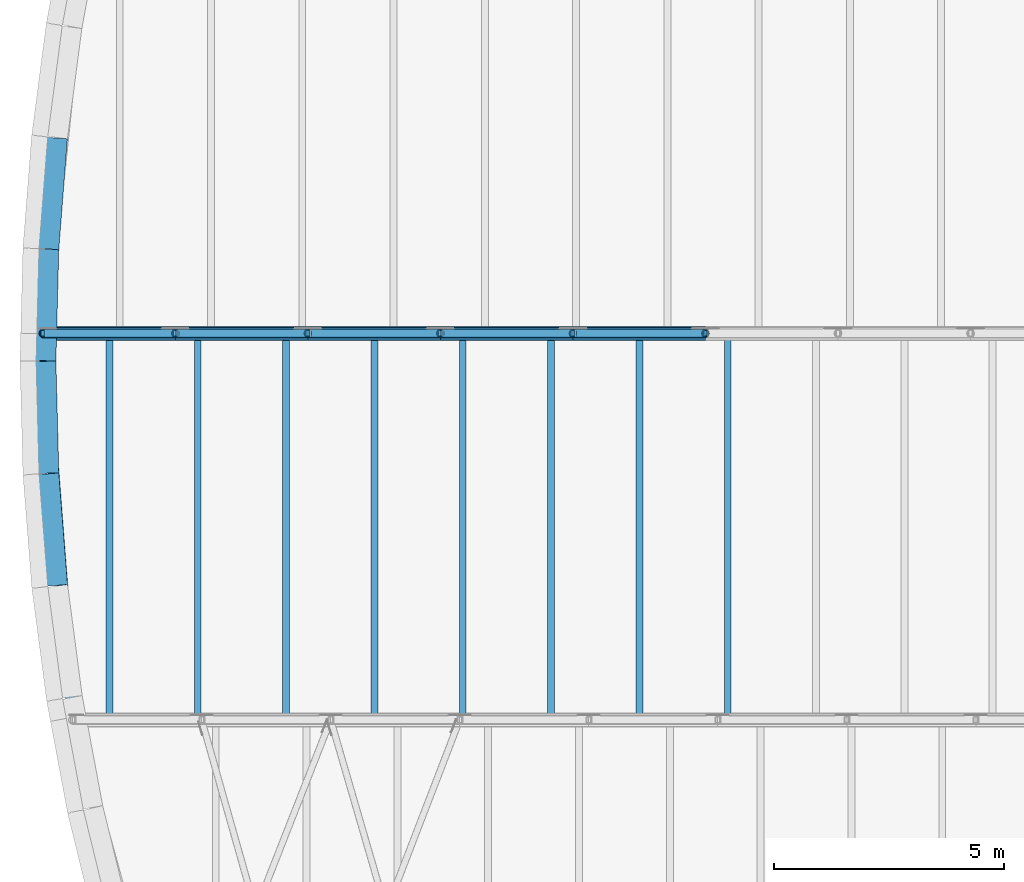
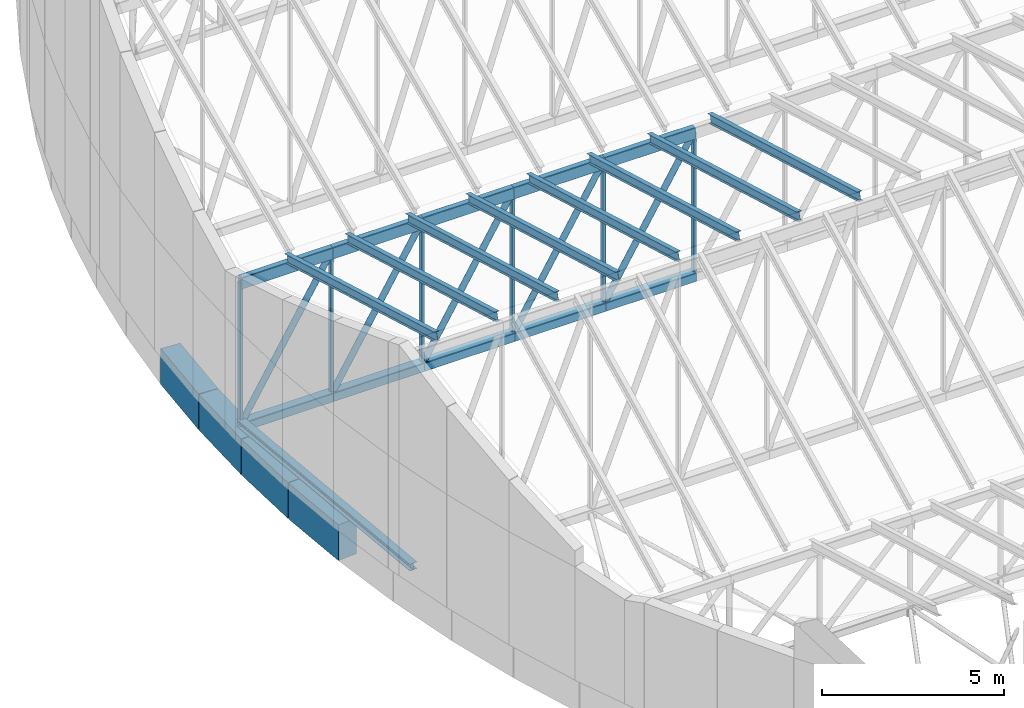
# One storey, part 19 of 68: 19 members, 15 beams.
"""IFC4 building model written with IfcOpenShell, lengths in metres."""

import ifcopenshell
import ifcopenshell.guid

model = None  # the IFC model being written
_history = None  # IfcOwnerHistory: only IFC2X3 demands one
_inside = {}  # id of a spatial element -> (the spatial element, [elements in it])
_under = {}  # id of a project, library or spatial element -> (it, [spatial elements below it])
_declared = {}  # id of a project -> (the project, [libraries it declares])
_typed = {}  # id of a type object -> (the type object, [elements of that type])
_made_of = {}  # id of a material, layer set ... -> (it, [elements and type objects made of it])


def new_model(schema):
    """Start an empty IFC model of exactly this schema.

    Asked for "IFC4X3", IfcOpenShell would pick the latest addendum, in which some entities
    have other attributes; the version numbers below select the first issue.
    IFC2X3 requires an IfcOwnerHistory on every rooted entity: one is made here for all.
    """
    global model, _history
    if schema == "IFC4X3":
        model = ifcopenshell.file(schema_version=(4, 3, 0, 0))
    else:
        model = ifcopenshell.file(schema=schema)
    _inside.clear()
    _under.clear()
    _declared.clear()
    _typed.clear()
    _made_of.clear()
    _history = None
    if model.schema == "IFC2X3":
        org = make("IfcOrganization", Name="unknown")
        user = make(
            "IfcPersonAndOrganization",
            ThePerson=make("IfcPerson", FamilyName="unknown"),
            TheOrganization=org,
        )
        app = make(
            "IfcApplication",
            ApplicationDeveloper=org,
            Version="unknown",
            ApplicationFullName="unknown",
            ApplicationIdentifier="unknown",
        )
        _history = make(
            "IfcOwnerHistory",
            OwningUser=user,
            OwningApplication=app,
            ChangeAction="ADDED",
            CreationDate=0,
        )
    return model


def make(cls, **values):
    """One entity of the class cls with the attributes given. An attribute that is None is left unset."""
    return model.create_entity(
        cls, **{name: value for name, value in values.items() if value is not None}
    )


def rooted(cls, **values):
    """An entity with a GlobalId (a new one), such as an element, a storey or a relation."""
    return make(cls, GlobalId=ifcopenshell.guid.new(), OwnerHistory=_history, **values)


def si_unit(unit_type, name, prefix=None):
    """IfcSIUnit, for example si_unit("LENGTHUNIT", "METRE", prefix="MILLI")."""
    return make("IfcSIUnit", UnitType=unit_type, Prefix=prefix, Name=name)


def assignment(units):
    """IfcUnitAssignment: the units of a project."""
    return None if units is None else make("IfcUnitAssignment", Units=units)


def point(xyz):
    """IfcCartesianPoint."""
    return None if xyz is None else make("IfcCartesianPoint", Coordinates=xyz)


def direction(xyz):
    """IfcDirection."""
    return None if xyz is None else make("IfcDirection", DirectionRatios=xyz)


def frame(location, z_axis=None, x_axis=None):
    """IfcAxis2Placement3D, a coordinate frame: its origin and axes. An axis left out is left unset."""
    return make(
        "IfcAxis2Placement3D",
        Location=point(location),
        Axis=direction(z_axis),
        RefDirection=direction(x_axis),
    )


def frame_2d(location, x_axis=None):
    """IfcAxis2Placement2D, a coordinate frame in the plane: its origin and x axis."""
    return make(
        "IfcAxis2Placement2D", Location=point(location), RefDirection=direction(x_axis)
    )


def origin():
    """The frame at (0, 0, 0) with its axes left unset."""
    return frame((0.0, 0.0, 0.0))


def origin_2d():
    """The frame at (0, 0) in the plane with its x axis left unset."""
    return frame_2d((0.0, 0.0))


def place(relative_to, where):
    """IfcLocalPlacement: puts the frame where relative to a parent placement (None: the world)."""
    return make(
        "IfcLocalPlacement", PlacementRelTo=relative_to, RelativePlacement=where
    )


def context(
    kind, dimensions, precision=None, world=None, true_north=None, identifier=None
):
    """IfcGeometricRepresentationContext, for example the 3D "Model" context."""
    return make(
        "IfcGeometricRepresentationContext",
        ContextIdentifier=identifier,
        ContextType=kind,
        CoordinateSpaceDimension=dimensions,
        Precision=precision,
        WorldCoordinateSystem=world,
        TrueNorth=true_north,
    )


def subcontext(parent, identifier, kind, view, scale=None):
    """IfcGeometricRepresentationSubContext, for example "Body" below "Model"."""
    return make(
        "IfcGeometricRepresentationSubContext",
        ContextIdentifier=identifier,
        ContextType=kind,
        ParentContext=parent,
        TargetScale=scale,
        TargetView=view,
    )


def project(units=None, contexts=None):
    """IfcProject with its units and contexts."""
    return rooted(
        "IfcProject",
        Name="project",
        RepresentationContexts=contexts,
        UnitsInContext=assignment(units),
    )


def spatial(cls, under=None, at=None, **own):
    """A site, building, storey or space (cls), placed at a placement, below another one or the project."""
    s = rooted(cls, ObjectPlacement=at, **own)
    if under is not None:
        _under.setdefault(under.id(), (under, []))[1].append(s)
    return s


def profile(cls, at=None, kind="AREA", **sizes):
    """A parametric profile (cls). Its sizes go by their IFC names, for example OverallWidth=200.0."""
    return make(cls, ProfileType=kind, Position=at, **sizes)


def rectangle(**sizes):
    """IfcRectangleProfileDef."""
    return profile("IfcRectangleProfileDef", **sizes)


def hollow_rectangle(**sizes):
    """IfcRectangleHollowProfileDef."""
    return profile("IfcRectangleHollowProfileDef", **sizes)


def hollow_circle(**sizes):
    """IfcCircleHollowProfileDef."""
    return profile("IfcCircleHollowProfileDef", **sizes)


def i_section(**sizes):
    """IfcIShapeProfileDef."""
    return profile("IfcIShapeProfileDef", **sizes)


def extrude(swept, where, along, depth):
    """IfcExtrudedAreaSolid: the profile swept, set in the frame where, extruded along a direction by depth."""
    return make(
        "IfcExtrudedAreaSolid",
        SweptArea=swept,
        Position=where,
        ExtrudedDirection=direction(along),
        Depth=depth,
    )


def shape(context_of_items, identifier, shape_type, items):
    """IfcShapeRepresentation: the items that make up one representation, for example the "Body"."""
    return make(
        "IfcShapeRepresentation",
        ContextOfItems=context_of_items,
        RepresentationIdentifier=identifier,
        RepresentationType=shape_type,
        Items=items,
    )


def material(Name=None, Category=None):
    """IfcMaterial."""
    return make("IfcMaterial", Name=Name, Category=Category)


def material_profile(
    of_material, cross_section, Name=None, Category=None, Priority=None
):
    """IfcMaterialProfile: a cross section and its material."""
    return make(
        "IfcMaterialProfile",
        Name=Name,
        Material=of_material,
        Profile=cross_section,
        Priority=Priority,
        Category=Category,
    )


def profile_set(profiles, Name=None, composite=None):
    """IfcMaterialProfileSet."""
    return make(
        "IfcMaterialProfileSet",
        Name=Name,
        MaterialProfiles=profiles,
        CompositeProfile=composite,
    )


def made_of(thing, what):
    """Note that an element or type object is made of a material, layer set ...; save() writes the relation."""
    if what is not None:
        _made_of.setdefault(what.id(), (what, []))[1].append(thing)
    return thing


def type_object(cls, material=None, **own):
    """A type object (cls), such as IfcWallType, which elements share."""
    return made_of(rooted(cls, **own), material)


def element(
    cls,
    number,
    at=None,
    inside=None,
    cuts=None,
    type_object=None,
    material=None,
    context=None,
    identifier="Body",
    shape_type=None,
    held_by="IfcProductDefinitionShape",
    body=None,
    shapes=None,
    **own,
):
    """One element of the class cls, such as IfcWall. Its Tag is "e" and its number.

    at: its placement. inside: the storey or other place that contains it. cuts: it is an
    opening in that element (IfcRelVoidsElement). A single representation is given by context,
    identifier, shape_type and body (its items); several are given by shapes. held_by: the class
    of the entity that holds the representations. save() writes the other relations.
    """
    e = rooted(cls, Tag="e%d" % number, ObjectPlacement=at, **own)
    if body is not None:
        shapes = [shape(context, identifier, shape_type, body)]
    if shapes is not None:
        e.Representation = make(held_by, Representations=shapes)
    if inside is not None:
        _inside.setdefault(inside.id(), (inside, []))[1].append(e)
    if cuts is not None:
        rooted(
            "IfcRelVoidsElement", RelatingBuildingElement=cuts, RelatedOpeningElement=e
        )
    if type_object is not None:
        _typed.setdefault(type_object.id(), (type_object, []))[1].append(e)
    return made_of(e, material)


def aggregate(whole, parts):
    """IfcRelAggregates: a whole, such as a stair, and the parts it consists of."""
    return rooted("IfcRelAggregates", RelatingObject=whole, RelatedObjects=parts)


def save(model, path):
    """Write the relations noted so far, then the file.

    IfcRelAggregates (storeys below a building ...), IfcRelContainedInSpatialStructure (elements
    in a storey), IfcRelDefinesByType, IfcRelAssociatesMaterial and IfcRelDeclares: one each for
    every whole, place, type object, material and project.
    """
    for whole, parts in _under.values():
        aggregate(whole, parts)
    for where, things in _inside.values():
        rooted(
            "IfcRelContainedInSpatialStructure",
            RelatedElements=things,
            RelatingStructure=where,
        )
    for kind, things in _typed.values():
        rooted("IfcRelDefinesByType", RelatedObjects=things, RelatingType=kind)
    for what, things in _made_of.values():
        rooted("IfcRelAssociatesMaterial", RelatedObjects=things, RelatingMaterial=what)
    for by, libraries in _declared.values():
        rooted("IfcRelDeclares", RelatingContext=by, RelatedDefinitions=libraries)
    model.write(path)


model = new_model("IFC4")

# Units and contexts
model_context = context("Model", 3, precision=1e-05, world=origin(), true_north=direction((0.0, 1.0)))
body_context = subcontext(model_context, "Body", "Model", "MODEL_VIEW")
ifc_project = project(units=[si_unit("LENGTHUNIT", "METRE"), si_unit("AREAUNIT", "SQUARE_METRE"), si_unit("VOLUMEUNIT", "CUBIC_METRE"), si_unit("PLANEANGLEUNIT", "RADIAN"), si_unit("MASSUNIT", "GRAM", prefix="KILO")], contexts=[model_context])

# Site, building, storey
site_placement = place(None, origin())
site = spatial("IfcSite", under=ifc_project, at=site_placement, CompositionType="ELEMENT")
building_placement = place(site_placement, origin())
building = spatial("IfcBuilding", under=site, at=building_placement, Name="Larchfold Concert Hall", CompositionType="ELEMENT")
storey_placement = place(building_placement, frame((0.0, 0.0, 28.800048828125)))
storey = spatial("IfcBuildingStorey", under=building, at=storey_placement, Name="L06", CompositionType="ELEMENT", Elevation=28.800048828125)

# Beams
ifc_material_1 = material(Name="Concrete C40/50", Category="concrete")
ifc_material_profile_1 = material_profile(ifc_material_1, rectangle(XDim=0.60009765625, YDim=1.199951171875, at=origin_2d()))
ifc_profile_set_1 = profile_set([ifc_material_profile_1], Name="Concrete C40/50")
beam_type_1 = type_object("IfcBeamType", Name="Beam RC 600x1200", PredefinedType="BEAM", material=ifc_profile_set_1)
for number, where, z_axis, x_axis, name in (
    (1, (18.35107421875, 89.451904296875, -0.60009765625), (-0.077638363573, -0.996981586842, 0.0), (0.996981586842, -0.077638363573, 0.0), "Beam RB37"),
    (2, (18.16259765625, 87.025390625, -0.60009765625), (-0.025743838213, -0.999668572475, 0.0), (0.999668572475, -0.025743838213, 0.0), "Beam RB38"),
):
    element("IfcBeam", number, at=place(storey_placement, frame(where, z_axis=z_axis, x_axis=x_axis)), inside=storey, type_object=beam_type_1, Name=name, PredefinedType="BEAM", context=body_context, shape_type="SweptSolid", body=[
        extrude(rectangle(XDim=0.60009765625, YDim=1.199951171875, at=origin_2d()), origin(), (0.0, 0.0, 1.0), 2.418212890625),
    ])
for number, where, z_axis, x_axis, name in (
    (3, (18.100341796875, 84.59228515625, -0.60009765625), (0.025884539774, -0.999664939167, 0.0), (0.999664939167, 0.025884539774, 0.0), "Beam RB39"),
    (4, (18.164306640625, 82.14404296875, -0.60009765625), (0.0779546659, -0.996956904818, 0.0), (0.996956904818, 0.0779546659, 0.0), "Beam RB40"),
):
    element("IfcBeam", number, at=place(storey_placement, frame(where, z_axis=z_axis, x_axis=x_axis)), inside=storey, type_object=beam_type_1, Name=name, PredefinedType="BEAM", context=body_context, shape_type="SweptSolid", body=[
        extrude(rectangle(XDim=0.60009765625, YDim=1.199951171875, at=origin_2d()), origin(), (0.0, 0.0, 1.0), 2.433349609375),
    ])

# Members
ifc_material_2 = material(Name="Steel S355", Category="steel")
ifc_material_profile_2 = material_profile(ifc_material_2, i_section(OverallWidth=0.14990234375, OverallDepth=0.300048828125, WebThickness=0.007080078125, FlangeThickness=0.0107421875, FilletRadius=0.014892578125, at=origin_2d()))
ifc_profile_set_2 = profile_set([ifc_material_profile_2], Name="Steel S355")
member_type_1 = type_object("IfcMemberType", Name="Rafter IPE 300", PredefinedType="RAFTER", material=ifc_profile_set_2)
for number, where, z_axis, x_axis, name in (
    (5, (19.564453125, 76.880126953125, 7.50634765625), (0.0, 0.961530397894, -0.274698551007), (-1.0, 0.0, 0.0), "Member RF0041"),
    (6, (21.484130859375, 76.880126953125, 7.50634765625), (0.0, 0.961530397894, -0.274698551007), (-1.0, 0.0, 0.0), "Member RF0042"),
    (7, (23.40380859375, 76.880126953125, 7.50634765625), (0.0, 0.961530397894, -0.274698551007), (-1.0, 0.0, 0.0), "Member RF0043"),
    (8, (25.3232421875, 76.880126953125, 7.50634765625), (0.0, 0.961530397894, -0.274698551007), (-1.0, 0.0, 0.0), "Member RF0044"),
    (9, (27.242919921875, 76.880126953125, 7.50634765625), (0.0, 0.961530397894, -0.274698551007), (-1.0, 0.0, 0.0), "Member RF0045"),
    (10, (29.16259765625, 76.880126953125, 7.50634765625), (0.0, 0.961530397894, -0.274698551007), (-1.0, 0.0, 0.0), "Member RF0046"),
    (11, (31.082275390625, 76.880126953125, 7.50634765625), (0.0, 0.961530397894, -0.274698551007), (-1.0, 0.0, 0.0), "Member RF0047"),
    (12, (33.001953125, 76.880126953125, 7.50634765625), (0.0, 0.961530397894, -0.274698551007), (-1.0, 0.0, 0.0), "Member RF0048"),
):
    element("IfcMember", number, at=place(storey_placement, frame(where, z_axis=z_axis, x_axis=x_axis)), inside=storey, type_object=member_type_1, Name=name, PredefinedType="RAFTER", context=body_context, shape_type="SweptSolid", body=[
        extrude(i_section(OverallWidth=0.14990234375, OverallDepth=0.300048828125, WebThickness=0.007080078125, FlangeThickness=0.0107421875, FilletRadius=0.014892578125, at=origin_2d()), origin(), (0.0, 0.0, 1.0), 8.5693359375),
    ])

# Beams
ifc_material_3 = material(Name="Steel S355", Category="steel")
ifc_material_profile_3 = material_profile(ifc_material_3, i_section(OverallWidth=0.239990234375, OverallDepth=0.22998046875, WebThickness=0.007568359375, FlangeThickness=0.011962890625, FilletRadius=0.02099609375, at=origin_2d()))
ifc_profile_set_3 = profile_set([ifc_material_profile_3], Name="Steel S355")
beam_type_2 = type_object("IfcBeamType", Name="Steel beam HEA 240", PredefinedType="BEAM", material=ifc_profile_set_3)
beam_1_placement = place(storey_placement, frame((18.764404296875, 76.800048828125, 0.114990234375), z_axis=(-0.077024461504, 0.997029203349, 0.0), x_axis=(-0.997029203349, -0.077024461504, 0.0)))
element("IfcBeam", 13, at=beam_1_placement, inside=storey, type_object=beam_type_2, Name="Beam EM03", PredefinedType="BEAM", context=body_context, shape_type="SweptSolid", body=[
    extrude(i_section(OverallWidth=0.239990234375, OverallDepth=0.22998046875, WebThickness=0.007568359375, FlangeThickness=0.011962890625, FilletRadius=0.02099609375, at=origin_2d()), origin(), (0.0, 0.0, 1.0), 8.425048828125),
])
ifc_material_4 = material(Name="Steel S355J2H", Category="steel")
ifc_material_profile_4 = material_profile(ifc_material_4, hollow_rectangle(XDim=0.199951171875, YDim=0.39990234375, WallThickness=0.012451171875, InnerFilletRadius=0.018798828125, OuterFilletRadius=0.03125, at=origin_2d()))
ifc_profile_set_4 = profile_set([ifc_material_profile_4], Name="Steel S355J2H")
beam_type_3 = type_object("IfcBeamType", Name="Truss chord RHS 400x200x12.5", PredefinedType="BEAM", material=ifc_profile_set_4)
beam_2_placement = place(storey_placement, frame((18.115478515625, 85.199951171875, 4.800048828125), z_axis=(1.0, 0.0, 0.0), x_axis=(0.0, 1.0, 0.0)))
element("IfcBeam", 14, at=beam_2_placement, inside=storey, type_object=beam_type_3, Name="Beam FT4T01", PredefinedType="BEAM", context=body_context, shape_type="SweptSolid", body=[
    extrude(hollow_rectangle(XDim=0.199951171875, YDim=0.39990234375, WallThickness=0.012451171875, InnerFilletRadius=0.018798828125, OuterFilletRadius=0.03125, at=origin_2d()), origin(), (0.0, 0.0, 1.0), 2.880615234375),
])
beam_3_placement = place(storey_placement, frame((20.99609375, 85.199951171875, 4.800048828125), z_axis=(1.0, 0.0, 0.0), x_axis=(0.0, 1.0, 0.0)))
element("IfcBeam", 15, at=beam_3_placement, inside=storey, type_object=beam_type_3, Name="Beam FT4T02", PredefinedType="BEAM", context=body_context, shape_type="SweptSolid", body=[
    extrude(hollow_rectangle(XDim=0.199951171875, YDim=0.39990234375, WallThickness=0.012451171875, InnerFilletRadius=0.018798828125, OuterFilletRadius=0.03125, at=origin_2d()), origin(), (0.0, 0.0, 1.0), 2.88037109375),
])
for number, where, z_axis, x_axis, name in (
    (16, (23.87646484375, 85.199951171875, 4.800048828125), (1.0, 0.0, 0.0), (0.0, 1.0, 0.0), "Beam FT4T03"),
    (17, (26.757080078125, 85.199951171875, 4.800048828125), (1.0, 0.0, 0.0), (0.0, 1.0, 0.0), "Beam FT4T04"),
    (18, (29.6376953125, 85.199951171875, 4.800048828125), (1.0, 0.0, 0.0), (0.0, 1.0, 0.0), "Beam FT4T05"),
):
    element("IfcBeam", number, at=place(storey_placement, frame(where, z_axis=z_axis, x_axis=x_axis)), inside=storey, type_object=beam_type_3, Name=name, PredefinedType="BEAM", context=body_context, shape_type="SweptSolid", body=[
        extrude(hollow_rectangle(XDim=0.199951171875, YDim=0.39990234375, WallThickness=0.012451171875, InnerFilletRadius=0.018798828125, OuterFilletRadius=0.03125, at=origin_2d()), origin(), (0.0, 0.0, 1.0), 2.880615234375),
    ])

# Members
ifc_material_5 = material(Name="Steel S355J2H", Category="steel")
ifc_material_profile_5 = material_profile(ifc_material_5, hollow_rectangle(XDim=0.10009765625, YDim=0.14990234375, WallThickness=0.008056640625, InnerFilletRadius=0.008056640625, OuterFilletRadius=0.01611328125, at=origin_2d()))
ifc_profile_set_5 = profile_set([ifc_material_profile_5], Name="Steel S355J2H")
member_type_2 = type_object("IfcMemberType", Name="Truss post RHS 150x100x8", PredefinedType="POST", material=ifc_profile_set_5)
for number, where, z_axis, x_axis, name in (
    (19, (18.115478515625, 85.199951171875, 4.800048828125), (0.0, 0.0, -1.0), (1.0, 0.0, 0.0), "Member FT4V01"),
    (20, (20.99609375, 85.199951171875, 4.800048828125), (0.0, 0.0, -1.0), (1.0, 0.0, 0.0), "Member FT4V02"),
    (21, (23.87646484375, 85.199951171875, 4.800048828125), (0.0, 0.0, -1.0), (1.0, 0.0, 0.0), "Member FT4V03"),
    (22, (26.757080078125, 85.199951171875, 4.800048828125), (0.0, 0.0, -1.0), (1.0, 0.0, 0.0), "Member FT4V04"),
    (23, (29.6376953125, 85.199951171875, 4.800048828125), (0.0, 0.0, -1.0), (1.0, 0.0, 0.0), "Member FT4V05"),
    (24, (32.518310546875, 85.199951171875, 4.800048828125), (0.0, 0.0, -1.0), (1.0, 0.0, 0.0), "Member FT4V06"),
):
    element("IfcMember", number, at=place(storey_placement, frame(where, z_axis=z_axis, x_axis=x_axis)), inside=storey, type_object=member_type_2, Name=name, PredefinedType="POST", context=body_context, shape_type="SweptSolid", body=[
        extrude(hollow_rectangle(XDim=0.10009765625, YDim=0.14990234375, WallThickness=0.008056640625, InnerFilletRadius=0.008056640625, OuterFilletRadius=0.01611328125, at=origin_2d()), origin(), (0.0, 0.0, 1.0), 4.800048828125),
    ])

# Beams
ifc_material_6 = material(Name="Steel S355J2H", Category="steel")
ifc_material_profile_6 = material_profile(ifc_material_6, hollow_rectangle(XDim=0.300048828125, YDim=0.300048828125, WallThickness=0.012451171875, InnerFilletRadius=0.018798828125, OuterFilletRadius=0.03125, at=origin_2d()))
ifc_profile_set_6 = profile_set([ifc_material_profile_6], Name="Steel S355J2H")
beam_type_4 = type_object("IfcBeamType", Name="Truss tie SHS 300x300x12.5", PredefinedType="BEAM", material=ifc_profile_set_6)
beam_4_placement = place(storey_placement, frame((18.115478515625, 85.199951171875, 0.0), z_axis=(1.0, 0.0, 0.0), x_axis=(0.0, 1.0, 0.0)))
element("IfcBeam", 25, at=beam_4_placement, inside=storey, type_object=beam_type_4, Name="Beam FT4B01", PredefinedType="BEAM", context=body_context, shape_type="SweptSolid", body=[
    extrude(hollow_rectangle(XDim=0.300048828125, YDim=0.300048828125, WallThickness=0.012451171875, InnerFilletRadius=0.018798828125, OuterFilletRadius=0.03125, at=origin_2d()), origin(), (0.0, 0.0, 1.0), 2.880615234375),
])
beam_5_placement = place(storey_placement, frame((20.99609375, 85.199951171875, 0.0), z_axis=(1.0, 0.0, 0.0), x_axis=(0.0, 1.0, 0.0)))
element("IfcBeam", 26, at=beam_5_placement, inside=storey, type_object=beam_type_4, Name="Beam FT4B02", PredefinedType="BEAM", context=body_context, shape_type="SweptSolid", body=[
    extrude(hollow_rectangle(XDim=0.300048828125, YDim=0.300048828125, WallThickness=0.012451171875, InnerFilletRadius=0.018798828125, OuterFilletRadius=0.03125, at=origin_2d()), origin(), (0.0, 0.0, 1.0), 2.88037109375),
])
for number, where, z_axis, x_axis, name in (
    (27, (23.87646484375, 85.199951171875, 0.0), (1.0, 0.0, 0.0), (0.0, 1.0, 0.0), "Beam FT4B03"),
    (28, (26.757080078125, 85.199951171875, 0.0), (1.0, 0.0, 0.0), (0.0, 1.0, 0.0), "Beam FT4B04"),
    (29, (29.6376953125, 85.199951171875, 0.0), (1.0, 0.0, 0.0), (0.0, 1.0, 0.0), "Beam FT4B05"),
):
    element("IfcBeam", number, at=place(storey_placement, frame(where, z_axis=z_axis, x_axis=x_axis)), inside=storey, type_object=beam_type_4, Name=name, PredefinedType="BEAM", context=body_context, shape_type="SweptSolid", body=[
        extrude(hollow_rectangle(XDim=0.300048828125, YDim=0.300048828125, WallThickness=0.012451171875, InnerFilletRadius=0.018798828125, OuterFilletRadius=0.03125, at=origin_2d()), origin(), (0.0, 0.0, 1.0), 2.880615234375),
    ])

# Members
ifc_material_7 = material(Name="Steel S355J2H", Category="steel")
ifc_material_profile_7 = material_profile(ifc_material_7, hollow_circle(Radius=0.096923828125, WallThickness=0.008056640625, at=origin_2d()))
ifc_profile_set_7 = profile_set([ifc_material_profile_7], Name="Steel S355J2H")
member_type_3 = type_object("IfcMemberType", Name="Truss web CHS 193.7x8", PredefinedType="BRACE", material=ifc_profile_set_7)
member_1_placement = place(storey_placement, frame((18.115478515625, 85.199951171875, 0.0), z_axis=(0.51457271492, 0.0, 0.85744674532), x_axis=(0.0, 1.0, 0.0)))
element("IfcMember", 30, at=member_1_placement, inside=storey, type_object=member_type_3, Name="Member FT4D01", PredefinedType="BRACE", context=body_context, shape_type="SweptSolid", body=[
    extrude(hollow_circle(Radius=0.096923828125, WallThickness=0.008056640625, at=origin_2d()), origin(), (0.0, 0.0, 1.0), 5.59814453125),
])
member_2_placement = place(storey_placement, frame((20.99609375, 85.199951171875, 0.0), z_axis=(0.514540649976, 0.0, 0.857465987385), x_axis=(0.0, 1.0, 0.0)))
element("IfcMember", 31, at=member_2_placement, inside=storey, type_object=member_type_3, Name="Member FT4D02", PredefinedType="BRACE", context=body_context, shape_type="SweptSolid", body=[
    extrude(hollow_circle(Radius=0.096923828125, WallThickness=0.008056640625, at=origin_2d()), origin(), (0.0, 0.0, 1.0), 5.597900390625),
])
for number, where, z_axis, x_axis, name in (
    (32, (23.87646484375, 85.199951171875, 0.0), (0.51457271492, 0.0, 0.85744674532), (0.0, 1.0, 0.0), "Member FT4D03"),
    (33, (26.757080078125, 85.199951171875, 0.0), (0.51457271492, 0.0, 0.85744674532), (0.0, 1.0, 0.0), "Member FT4D04"),
    (34, (29.6376953125, 85.199951171875, 0.0), (0.51457271492, 0.0, 0.85744674532), (0.0, 1.0, 0.0), "Member FT4D05"),
):
    element("IfcMember", number, at=place(storey_placement, frame(where, z_axis=z_axis, x_axis=x_axis)), inside=storey, type_object=member_type_3, Name=name, PredefinedType="BRACE", context=body_context, shape_type="SweptSolid", body=[
        extrude(hollow_circle(Radius=0.096923828125, WallThickness=0.008056640625, at=origin_2d()), origin(), (0.0, 0.0, 1.0), 5.59814453125),
    ])

save(model, "model.ifc")
